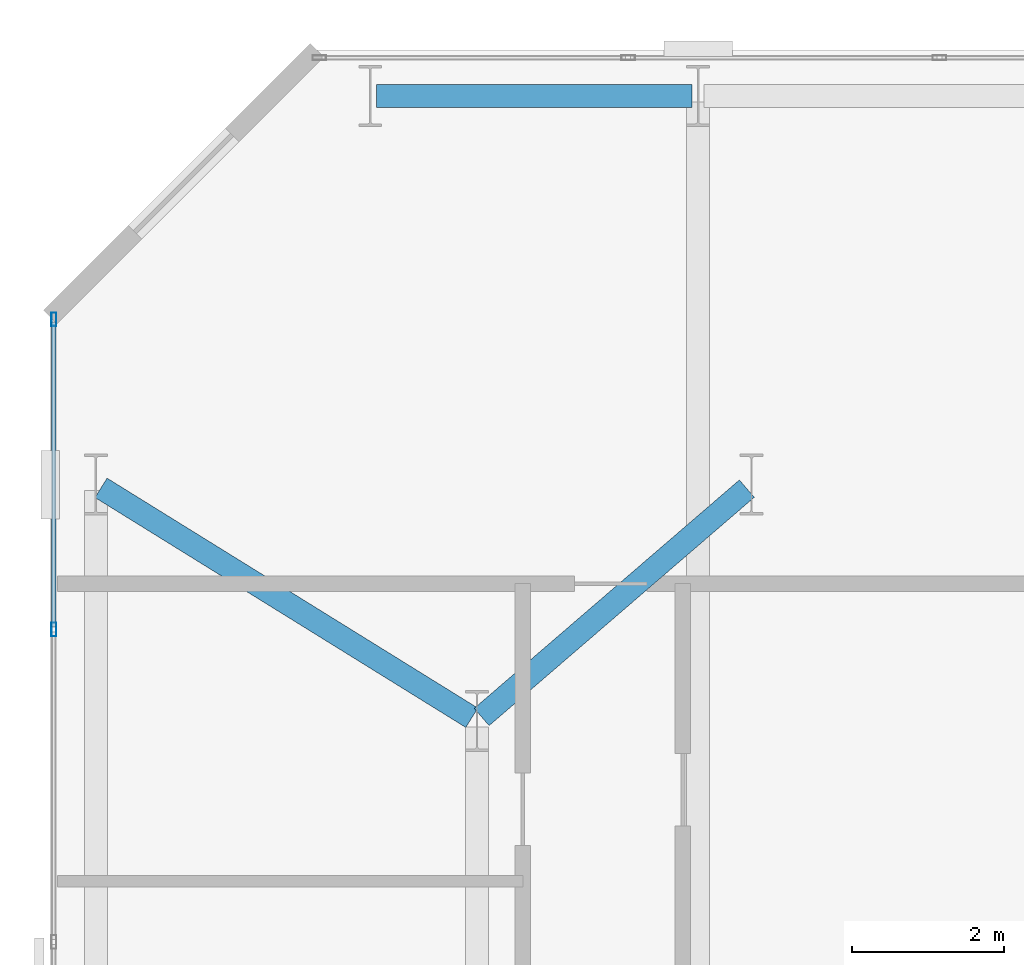
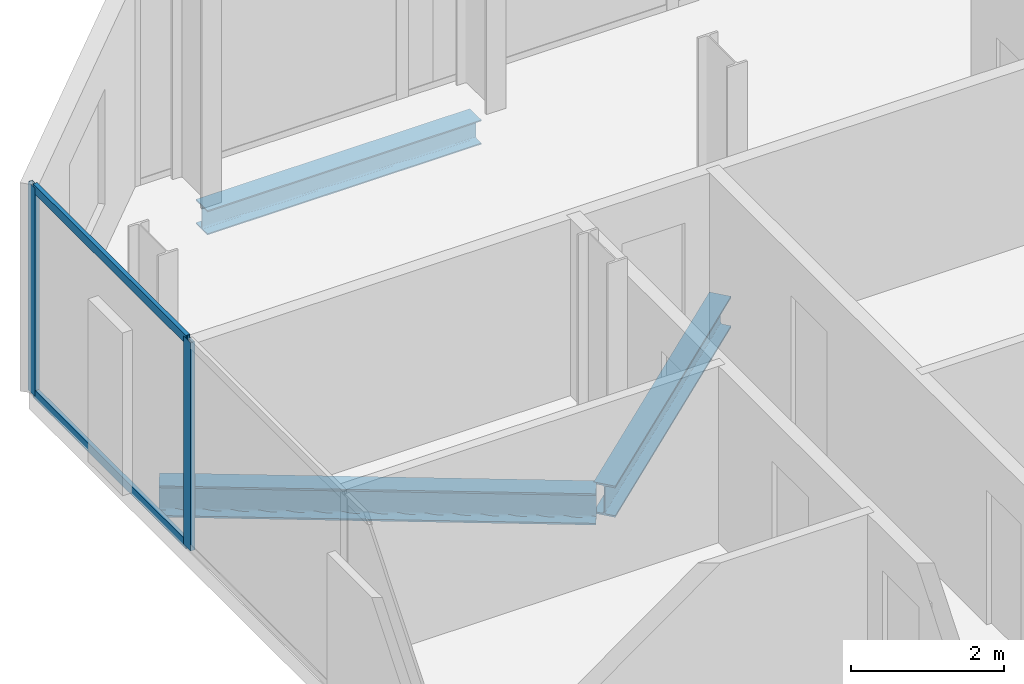
# One storey, part 19 of 32: 4 members, 3 beams, 1 element without a shape of its own.
"""IFC4 building model written with IfcOpenShell, lengths in metres."""

from ifc_helpers import new_model, si_unit, direction, frame, origin, origin_2d, place, context, subcontext, project, spatial, hollow_rectangle, i_section, extrude, material, layer, layer_set, material_profile, profile_set, type_object, element, aggregate, save


model = new_model("IFC4")

# Units and contexts
model_context = context("Model", 3, precision=1e-05, world=origin(), true_north=direction((0.0, 1.0)))
body_context = subcontext(model_context, "Body", "Model", "MODEL_VIEW")
ifc_project = project(units=[si_unit("LENGTHUNIT", "METRE"), si_unit("AREAUNIT", "SQUARE_METRE"), si_unit("VOLUMEUNIT", "CUBIC_METRE"), si_unit("PLANEANGLEUNIT", "RADIAN"), si_unit("MASSUNIT", "GRAM", prefix="KILO")], contexts=[model_context])

# Site, building, storey
site_placement = place(None, origin())
site = spatial("IfcSite", under=ifc_project, at=site_placement, CompositionType="ELEMENT")
building_placement = place(site_placement, origin())
building = spatial("IfcBuilding", under=site, at=building_placement, Name="Catumbela Crestline Tower", CompositionType="ELEMENT")
storey_placement = place(building_placement, frame((0.0, 0.0, 61.8)))
storey = spatial("IfcBuildingStorey", under=building, at=storey_placement, Name="L15", CompositionType="ELEMENT", Elevation=61.8)

# Beams
ifc_material_1 = material(Name="Structural steel S355J2", Category="steel")
ifc_material_profile_1 = material_profile(ifc_material_1, i_section(OverallWidth=0.3, OverallDepth=0.5, WebThickness=0.0145, FlangeThickness=0.028, FilletRadius=0.027, at=origin_2d()), Name="HEB 500")
ifc_profile_set_1 = profile_set([ifc_material_profile_1], Name="Structural steel S355J2")
beam_type_1 = type_object("IfcBeamType", Name="BG-HEB500", PredefinedType="BEAM", material=ifc_profile_set_1)
beam_1_placement = place(storey_placement, frame((0.668, 42.2578, -0.51), z_axis=(0.849908952007, -0.526929571479, 0.0), x_axis=(0.526929571479, 0.849908952007, 0.0)))
element("IfcBeam", 1, at=beam_1_placement, inside=storey, type_object=beam_type_1, Name="L15 Beam BM-L15-N13", PredefinedType="BEAM", context=body_context, shape_type="SweptSolid", body=[
    extrude(i_section(OverallWidth=0.3, OverallDepth=0.5, WebThickness=0.0145, FlangeThickness=0.028, FilletRadius=0.027, at=origin_2d()), origin(), (0.0, 0.0, 1.0), 5.723),
])
beam_2_placement = place(storey_placement, frame((5.6606, 39.2522, -0.51), z_axis=(0.757772392559, 0.652518966066, 0.0), x_axis=(-0.652518966066, 0.757772392559, 0.0)))
element("IfcBeam", 2, at=beam_2_placement, inside=storey, type_object=beam_type_1, Name="L15 Beam BM-L15-N14", PredefinedType="BEAM", context=body_context, shape_type="SweptSolid", body=[
    extrude(i_section(OverallWidth=0.3, OverallDepth=0.5, WebThickness=0.0145, FlangeThickness=0.028, FilletRadius=0.027, at=origin_2d()), origin(), (0.0, 0.0, 1.0), 4.5908),
])

# Curtain wall, members
ifc_material_2 = material(Name="Aluminium alloy AW-6060-T66", Category="aluminium")
ifc_layer = layer(ifc_material_2, 0.18, Name="Aluminium alloy AW-6060-T66")
ifc_layer_set = layer_set([ifc_layer], Name="Aluminium alloy AW-6060-T66")
curtain_wall_type = type_object("IfcCurtainWallType", Name="CWU-Z1", PredefinedType="USERDEFINED", material=ifc_layer_set)
curtain_wall_placement = place(storey_placement, origin())
curtain_wall = element("IfcCurtainWall", 3, at=curtain_wall_placement, inside=storey, type_object=curtain_wall_type, Name="L15 Unitised Curtain Wall CW-L15-E9S1", ObjectType="UNITISED", PredefinedType="USERDEFINED")
ifc_material_profile_2 = material_profile(ifc_material_2, hollow_rectangle(XDim=0.065, YDim=0.18, WallThickness=0.004, at=origin_2d()), Name="ALU 180x65x4")
ifc_profile_set_2 = profile_set([ifc_material_profile_2], Name="Aluminium alloy AW-6060-T66")
member_type_1 = type_object("IfcMemberType", Name="MUL-180X65", PredefinedType="MULLION", material=ifc_profile_set_2)
member_1_placement = place(storey_placement, frame((0.05, 44.4675, 0.0), z_axis=(0.0, 0.0, 1.0), x_axis=(1.0, 0.0, 0.0)))
member_1 = element("IfcMember", 4, at=member_1_placement, type_object=member_type_1, Name="CWU-Z1 mullion 1", PredefinedType="MULLION", context=body_context, shape_type="SweptSolid", body=[
    extrude(hollow_rectangle(XDim=0.065, YDim=0.18, WallThickness=0.004, at=origin_2d()), origin(), (0.0, 0.0, 1.0), 3.33),
])
member_2_placement = place(storey_placement, frame((0.05, 40.4, 0.0), z_axis=(0.0, 0.0, 1.0), x_axis=(1.0, 0.0, 0.0)))
member_2 = element("IfcMember", 5, at=member_2_placement, type_object=member_type_1, Name="CWU-Z1 mullion 2", PredefinedType="MULLION", context=body_context, shape_type="SweptSolid", body=[
    extrude(hollow_rectangle(XDim=0.065, YDim=0.18, WallThickness=0.004, at=origin_2d()), origin(), (0.0, 0.0, 1.0), 3.33),
])

# Beam
ifc_material_profile_3 = material_profile(ifc_material_1, i_section(OverallWidth=0.3, OverallDepth=0.39, WebThickness=0.011, FlangeThickness=0.019, FilletRadius=0.027, at=origin_2d()), Name="HEA 400")
ifc_profile_set_3 = profile_set([ifc_material_profile_3], Name="Structural steel S355J2")
beam_type_2 = type_object("IfcBeamType", Name="BS-HEA400", PredefinedType="SPANDREL", material=ifc_profile_set_3)
beam_3_placement = place(storey_placement, frame((4.28, 47.4, -0.455), z_axis=(1.0, 0.0, 0.0), x_axis=(0.0, 1.0, 0.0)))
element("IfcBeam", 6, at=beam_3_placement, inside=storey, type_object=beam_type_2, Name="L15 Spandrel SP-L15-NF19", PredefinedType="SPANDREL", context=body_context, shape_type="SweptSolid", body=[
    extrude(i_section(OverallWidth=0.3, OverallDepth=0.39, WebThickness=0.011, FlangeThickness=0.019, FilletRadius=0.027, at=origin_2d()), origin(), (0.0, 0.0, 1.0), 4.14),
])

# Member
ifc_material_profile_4 = material_profile(ifc_material_2, hollow_rectangle(XDim=0.06, YDim=0.14, WallThickness=0.004, at=origin_2d()), Name="ALU 140x60x4")
ifc_profile_set_4 = profile_set([ifc_material_profile_4], Name="Aluminium alloy AW-6060-T66")
member_type_2 = type_object("IfcMemberType", Name="TRN-140X60", PredefinedType="USERDEFINED", material=ifc_profile_set_4)
member_3_placement = place(storey_placement, frame((0.05, 44.435, 0.03), z_axis=(0.0, -1.0, 0.0), x_axis=(1.0, 0.0, 0.0)))
member_3 = element("IfcMember", 7, at=member_3_placement, type_object=member_type_2, Name="CWU-Z1 transom 1.1", ObjectType="TRANSOM", PredefinedType="USERDEFINED", context=body_context, shape_type="SweptSolid", body=[
    extrude(hollow_rectangle(XDim=0.06, YDim=0.14, WallThickness=0.004, at=origin_2d()), origin(), (0.0, 0.0, 1.0), 4.0025),
])

member_4_placement = place(storey_placement, frame((0.05, 44.435, 3.3), z_axis=(0.0, -1.0, 0.0), x_axis=(1.0, 0.0, 0.0)))
member_4 = element("IfcMember", 8, at=member_4_placement, type_object=member_type_2, Name="CWU-Z1 transom 1.2", ObjectType="TRANSOM", PredefinedType="USERDEFINED", context=body_context, shape_type="SweptSolid", body=[
    extrude(hollow_rectangle(XDim=0.06, YDim=0.14, WallThickness=0.004, at=origin_2d()), origin(), (0.0, 0.0, 1.0), 4.0025),
])

aggregate(curtain_wall, [member_1, member_2, member_3, member_4])

save(model, "model.ifc")
